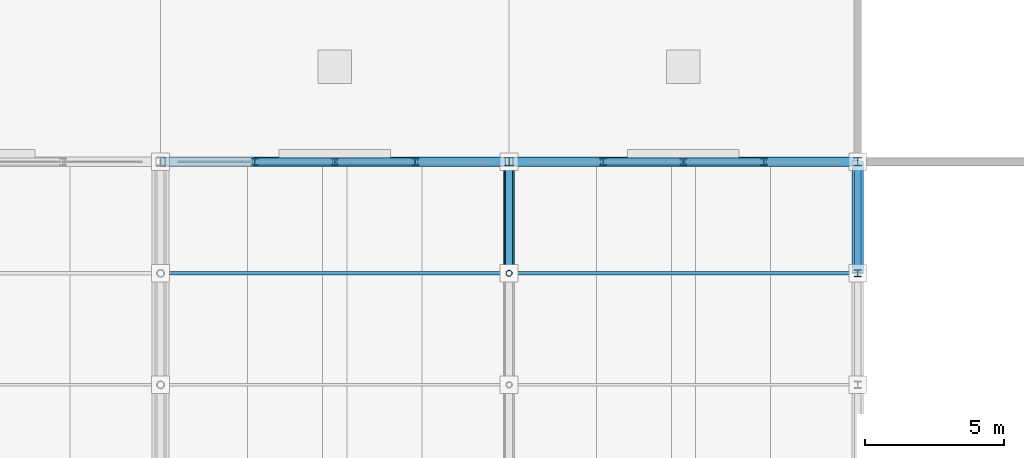
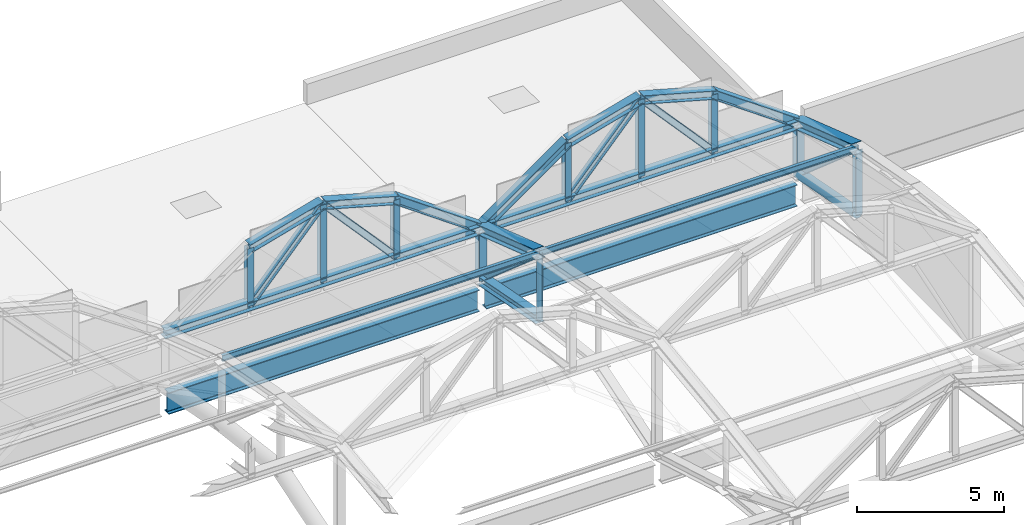
# One storey, part 85 of 117: 31 members, 2 beams.
"""IFC4 building model written with IfcOpenShell, lengths in metres."""

from ifc_helpers import new_model, si_unit, direction, frame, origin, origin_2d, place, context, subcontext, project, spatial, hollow_circle, i_section, extrude, material, material_profile, profile_set, type_object, element, save


model = new_model("IFC4")

# Units and contexts
model_context = context("Model", 3, precision=1e-05, world=origin(), true_north=direction((0.0, 1.0)))
body_context = subcontext(model_context, "Body", "Model", "MODEL_VIEW")
ifc_project = project(units=[si_unit("LENGTHUNIT", "METRE"), si_unit("AREAUNIT", "SQUARE_METRE"), si_unit("VOLUMEUNIT", "CUBIC_METRE"), si_unit("PLANEANGLEUNIT", "RADIAN"), si_unit("MASSUNIT", "GRAM", prefix="KILO")], contexts=[model_context])

# Site, building, storey
site_placement = place(None, origin())
site = spatial("IfcSite", under=ifc_project, at=site_placement, CompositionType="ELEMENT")
building_placement = place(site_placement, origin())
building = spatial("IfcBuilding", under=site, at=building_placement, Name="Kazenohara Klinker Stadium", CompositionType="ELEMENT")
storey_placement = place(building_placement, frame((0.0, 0.0, 31.199951171875)))
storey = spatial("IfcBuildingStorey", under=building, at=storey_placement, Name="RF", CompositionType="ELEMENT", Elevation=31.199951171875)

# Members
ifc_material = material(Name="Steel S355", Category="steel")
ifc_material_profile_1 = material_profile(ifc_material, i_section(OverallWidth=0.25, OverallDepth=0.25, WebThickness=0.009033203125, FlangeThickness=0.013916015625, FilletRadius=0.012939453125, at=origin_2d()), Name="H-250x250x9x14")
ifc_profile_set_1 = profile_set([ifc_material_profile_1], Name="Steel S355")
member_type_1 = type_object("IfcMemberType", Name="MEM-BRC02", PredefinedType="BRACE", material=ifc_profile_set_1)
for number, where, z_axis, x_axis, name in (
    (1, (137.5, 144.0, -0.02001953125), (0.0, -0.755380190588, 0.655286782765), (1.0, 0.0, 0.0), "ROOF TRUSS RT-N07 web diagonal 1"),
    (2, (150.0, 144.0, -0.02001953125), (0.0, -0.755380190588, 0.655286782765), (1.0, 0.0, 0.0), "ROOF TRUSS RT-N08 web diagonal 1"),
):
    element("IfcMember", number, at=place(storey_placement, frame(where, z_axis=z_axis, x_axis=x_axis)), inside=storey, type_object=member_type_1, Name=name, PredefinedType="BRACE", context=body_context, shape_type="SweptSolid", body=[
        extrude(i_section(OverallWidth=0.25, OverallDepth=0.25, WebThickness=0.009033203125, FlangeThickness=0.013916015625, FilletRadius=0.012939453125, at=origin_2d()), origin(), (0.0, 0.0, 1.0), 5.29541015625),
    ])
ifc_material_profile_2 = material_profile(ifc_material, i_section(OverallWidth=0.39990234375, OverallDepth=0.39990234375, WebThickness=0.012939453125, FlangeThickness=0.02099609375, FilletRadius=0.02197265625, at=origin_2d()), Name="H-400x400x13x21")
ifc_profile_set_2 = profile_set([ifc_material_profile_2], Name="Steel S355")
member_type_2 = type_object("IfcMemberType", Name="MEM-CHD01", PredefinedType="CHORD", material=ifc_profile_set_2)
for number, where, z_axis, x_axis, name in (
    (3, (137.5, 144.0, 2.10009765625), (0.0, -0.947502791724, 0.319747493618), (1.0, 0.0, 0.0), "ROOF TRUSS RT-N07 top arched chord 1"),
    (4, (150.0, 144.0, 2.10009765625), (0.0, -0.947502791724, 0.319747493618), (1.0, 0.0, 0.0), "ROOF TRUSS RT-N08 top arched chord 1"),
):
    element("IfcMember", number, at=place(storey_placement, frame(where, z_axis=z_axis, x_axis=x_axis)), inside=storey, type_object=member_type_2, Name=name, PredefinedType="CHORD", context=body_context, shape_type="SweptSolid", body=[
        extrude(i_section(OverallWidth=0.39990234375, OverallDepth=0.39990234375, WebThickness=0.012939453125, FlangeThickness=0.02099609375, FilletRadius=0.02197265625, at=origin_2d()), origin(), (0.0, 0.0, 1.0), 4.2216796875),
    ])
ifc_material_profile_3 = material_profile(ifc_material, i_section(OverallWidth=0.35009765625, OverallDepth=0.35009765625, WebThickness=0.011962890625, FlangeThickness=0.01904296875, FilletRadius=0.012939453125, at=origin_2d()), Name="H-350x350x12x19")
ifc_profile_set_3 = profile_set([ifc_material_profile_3], Name="Steel S355")
member_type_3 = type_object("IfcMemberType", Name="MEM-CHD02", PredefinedType="CHORD", material=ifc_profile_set_3)
member_1_placement = place(storey_placement, frame((137.5, 144.0, -0.02001953125), z_axis=(0.0, -0.981970519692, 0.189034119819), x_axis=(1.0, 0.0, 0.0)))
element("IfcMember", 5, at=member_1_placement, inside=storey, type_object=member_type_3, Name="ROOF TRUSS RT-N07 bottom arched chord 1", PredefinedType="CHORD", context=body_context, shape_type="SweptSolid", body=[
    extrude(i_section(OverallWidth=0.35009765625, OverallDepth=0.35009765625, WebThickness=0.011962890625, FlangeThickness=0.01904296875, FilletRadius=0.012939453125, at=origin_2d()), origin(), (0.0, 0.0, 1.0), 4.073486328125),
])
member_2_placement = place(storey_placement, frame((125.0, 144.0, 2.10009765625), z_axis=(1.0, 0.0, 0.0), x_axis=(0.0, 1.0, 0.0)))
element("IfcMember", 6, at=member_2_placement, inside=storey, type_object=member_type_3, Name="Barrel arch tie chord TC02 N-06-N0", PredefinedType="CHORD", context=body_context, shape_type="SweptSolid", body=[
    extrude(i_section(OverallWidth=0.35009765625, OverallDepth=0.35009765625, WebThickness=0.011962890625, FlangeThickness=0.01904296875, FilletRadius=0.012939453125, at=origin_2d()), origin(), (0.0, 0.0, 1.0), 12.5),
])
for number, where, z_axis, x_axis, name in (
    (7, (128.375, 144.0, 4.5), (0.963393567269, 0.0, 0.268091093745), (0.0, 1.0, 0.0), "Barrel arch top rib TC02 N-06-N0-S2"),
    (8, (131.25, 144.0, 5.300048828125), (0.963393567269, 0.0, -0.268091093745), (0.0, 1.0, 0.0), "Barrel arch top rib TC02 N-06-N0-S3"),
):
    element("IfcMember", number, at=place(storey_placement, frame(where, z_axis=z_axis, x_axis=x_axis)), inside=storey, type_object=member_type_3, Name=name, PredefinedType="CHORD", context=body_context, shape_type="SweptSolid", body=[
        extrude(i_section(OverallWidth=0.35009765625, OverallDepth=0.35009765625, WebThickness=0.011962890625, FlangeThickness=0.01904296875, FilletRadius=0.012939453125, at=origin_2d()), origin(), (0.0, 0.0, 1.0), 2.984130859375),
    ])
member_3_placement = place(storey_placement, frame((134.125, 144.0, 4.5), z_axis=(0.814966461491, 0.0, -0.579508124744), x_axis=(0.0, 1.0, 0.0)))
element("IfcMember", 9, at=member_3_placement, inside=storey, type_object=member_type_3, Name="Barrel arch top rib TC02 N-06-N0-S4", PredefinedType="CHORD", context=body_context, shape_type="SweptSolid", body=[
    extrude(i_section(OverallWidth=0.35009765625, OverallDepth=0.35009765625, WebThickness=0.011962890625, FlangeThickness=0.01904296875, FilletRadius=0.012939453125, at=origin_2d()), origin(), (0.0, 0.0, 1.0), 4.141357421875),
])
member_4_placement = place(storey_placement, frame((137.5, 144.0, 2.10009765625), z_axis=(1.0, 0.0, 0.0), x_axis=(0.0, 1.0, 0.0)))
element("IfcMember", 10, at=member_4_placement, inside=storey, type_object=member_type_3, Name="Barrel arch tie chord TC02 N-07-N0", PredefinedType="CHORD", context=body_context, shape_type="SweptSolid", body=[
    extrude(i_section(OverallWidth=0.35009765625, OverallDepth=0.35009765625, WebThickness=0.011962890625, FlangeThickness=0.01904296875, FilletRadius=0.012939453125, at=origin_2d()), origin(), (0.0, 0.0, 1.0), 12.5),
])
member_5_placement = place(storey_placement, frame((137.5, 144.0, 2.10009765625), z_axis=(0.814966461491, 0.0, 0.579508124744), x_axis=(0.0, 1.0, 0.0)))
element("IfcMember", 11, at=member_5_placement, inside=storey, type_object=member_type_3, Name="Barrel arch top rib TC02 N-07-N0-S1", PredefinedType="CHORD", context=body_context, shape_type="SweptSolid", body=[
    extrude(i_section(OverallWidth=0.35009765625, OverallDepth=0.35009765625, WebThickness=0.011962890625, FlangeThickness=0.01904296875, FilletRadius=0.012939453125, at=origin_2d()), origin(), (0.0, 0.0, 1.0), 4.141357421875),
])
for number, where, z_axis, x_axis, name in (
    (12, (140.875, 144.0, 4.5), (0.963393567269, 0.0, 0.268091093745), (0.0, 1.0, 0.0), "Barrel arch top rib TC02 N-07-N0-S2"),
    (13, (143.75, 144.0, 5.300048828125), (0.963393567269, 0.0, -0.268091093745), (0.0, 1.0, 0.0), "Barrel arch top rib TC02 N-07-N0-S3"),
):
    element("IfcMember", number, at=place(storey_placement, frame(where, z_axis=z_axis, x_axis=x_axis)), inside=storey, type_object=member_type_3, Name=name, PredefinedType="CHORD", context=body_context, shape_type="SweptSolid", body=[
        extrude(i_section(OverallWidth=0.35009765625, OverallDepth=0.35009765625, WebThickness=0.011962890625, FlangeThickness=0.01904296875, FilletRadius=0.012939453125, at=origin_2d()), origin(), (0.0, 0.0, 1.0), 2.984130859375),
    ])
member_6_placement = place(storey_placement, frame((146.625, 144.0, 4.5), z_axis=(0.814966461491, 0.0, -0.579508124744), x_axis=(0.0, 1.0, 0.0)))
element("IfcMember", 14, at=member_6_placement, inside=storey, type_object=member_type_3, Name="Barrel arch top rib TC02 N-07-N0-S4", PredefinedType="CHORD", context=body_context, shape_type="SweptSolid", body=[
    extrude(i_section(OverallWidth=0.35009765625, OverallDepth=0.35009765625, WebThickness=0.011962890625, FlangeThickness=0.01904296875, FilletRadius=0.012939453125, at=origin_2d()), origin(), (0.0, 0.0, 1.0), 4.141357421875),
])
ifc_material_profile_4 = material_profile(ifc_material, hollow_circle(Radius=0.203125, WallThickness=0.011962890625, at=origin_2d()), Name="CHS-406.4x12")
ifc_profile_set_4 = profile_set([ifc_material_profile_4], Name="Steel S355")
member_type_4 = type_object("IfcMemberType", Name="MEM-CHD03", PredefinedType="CHORD", material=ifc_profile_set_4)
member_7_placement = place(storey_placement, frame((150.0, 144.0, -0.02001953125), z_axis=(0.0, -0.981970519692, 0.189034119819), x_axis=(1.0, 0.0, 0.0)))
element("IfcMember", 15, at=member_7_placement, inside=storey, type_object=member_type_4, Name="ROOF TRUSS RT-N08 bottom arched chord 1", PredefinedType="CHORD", context=body_context, shape_type="SweptSolid", body=[
    extrude(hollow_circle(Radius=0.203125, WallThickness=0.011962890625, at=origin_2d()), origin(), (0.0, 0.0, 1.0), 4.073486328125),
])
ifc_material_profile_5 = material_profile(ifc_material, i_section(OverallWidth=0.125, OverallDepth=0.25, WebThickness=0.006103515625, FlangeThickness=0.009033203125, FilletRadius=0.008056640625, at=origin_2d()), Name="H-250x125x6x9")
ifc_profile_set_5 = profile_set([ifc_material_profile_5], Name="Steel S355")
member_type_5 = type_object("IfcMemberType", Name="MEM-PUR01", PredefinedType="PURLIN", material=ifc_profile_set_5)
for number, where, z_axis, x_axis, name in (
    (16, (125.0, 140.0, 3.469970703125), (1.0, 0.0, 0.0), (0.0, 1.0, 0.0), "Canopy valley tie purlin PR01 N-06-N1"),
    (17, (137.5, 140.0, 3.469970703125), (1.0, 0.0, 0.0), (0.0, 1.0, 0.0), "Canopy valley tie purlin PR01 N-07-N1"),
):
    element("IfcMember", number, at=place(storey_placement, frame(where, z_axis=z_axis, x_axis=x_axis)), inside=storey, type_object=member_type_5, Name=name, PredefinedType="PURLIN", context=body_context, shape_type="SweptSolid", body=[
        extrude(i_section(OverallWidth=0.125, OverallDepth=0.25, WebThickness=0.006103515625, FlangeThickness=0.009033203125, FilletRadius=0.008056640625, at=origin_2d()), origin(), (0.0, 0.0, 1.0), 12.5),
    ])
ifc_material_profile_6 = material_profile(ifc_material, i_section(OverallWidth=0.300048828125, OverallDepth=0.300048828125, WebThickness=0.010009765625, FlangeThickness=0.014892578125, FilletRadius=0.012939453125, at=origin_2d()), Name="H-300x300x10x15")
ifc_profile_set_6 = profile_set([ifc_material_profile_6], Name="Steel S355")
member_type_6 = type_object("IfcMemberType", Name="MEM-STR01", PredefinedType="STRUT", material=ifc_profile_set_6)
for number, where, z_axis, x_axis, name in (
    (18, (137.5, 144.0, -0.02001953125), (0.0, 0.0, 1.0), (1.0, 0.0, 0.0), "ROOF TRUSS RT-N07 web post 1"),
    (19, (150.0, 144.0, -0.02001953125), (0.0, 0.0, 1.0), (1.0, 0.0, 0.0), "ROOF TRUSS RT-N08 web post 1"),
):
    element("IfcMember", number, at=place(storey_placement, frame(where, z_axis=z_axis, x_axis=x_axis)), inside=storey, type_object=member_type_6, Name=name, PredefinedType="STRUT", context=body_context, shape_type="SweptSolid", body=[
        extrude(i_section(OverallWidth=0.300048828125, OverallDepth=0.300048828125, WebThickness=0.010009765625, FlangeThickness=0.014892578125, FilletRadius=0.012939453125, at=origin_2d()), origin(), (0.0, 0.0, 1.0), 2.1201171875),
    ])
ifc_material_profile_7 = material_profile(ifc_material, i_section(OverallWidth=0.25, OverallDepth=0.25, WebThickness=0.009033203125, FlangeThickness=0.013916015625, FilletRadius=0.012939453125, at=origin_2d()), Name="H-250x250x9x14")
ifc_profile_set_7 = profile_set([ifc_material_profile_7], Name="Steel S355")
member_type_7 = type_object("IfcMemberType", Name="MEM-STR02", PredefinedType="STRUT", material=ifc_profile_set_7)
member_8_placement = place(storey_placement, frame((150.0, 140.0, 0.75), z_axis=(0.0, 0.0, 1.0), x_axis=(1.0, 0.0, 0.0)))
element("IfcMember", 20, at=member_8_placement, inside=storey, type_object=member_type_7, Name="ROOF TRUSS RT-N08 web post 2", PredefinedType="STRUT", context=body_context, shape_type="SweptSolid", body=[
    extrude(i_section(OverallWidth=0.25, OverallDepth=0.25, WebThickness=0.009033203125, FlangeThickness=0.013916015625, FilletRadius=0.012939453125, at=origin_2d()), origin(), (0.0, 0.0, 1.0), 2.699951171875),
])
member_9_placement = place(storey_placement, frame((128.375, 144.0, 2.10009765625), z_axis=(0.0, 0.0, 1.0), x_axis=(1.0, 0.0, 0.0)))
element("IfcMember", 21, at=member_9_placement, inside=storey, type_object=member_type_7, Name="Barrel arch web post TS02 N-06-N0-P1", PredefinedType="STRUT", context=body_context, shape_type="SweptSolid", body=[
    extrude(i_section(OverallWidth=0.25, OverallDepth=0.25, WebThickness=0.009033203125, FlangeThickness=0.013916015625, FilletRadius=0.012939453125, at=origin_2d()), origin(), (0.0, 0.0, 1.0), 2.39990234375),
])
member_10_placement = place(storey_placement, frame((131.25, 144.0, 2.10009765625), z_axis=(0.0, 0.0, 1.0), x_axis=(1.0, 0.0, 0.0)))
element("IfcMember", 22, at=member_10_placement, inside=storey, type_object=member_type_7, Name="Barrel arch web post TS02 N-06-N0-P2", PredefinedType="STRUT", context=body_context, shape_type="SweptSolid", body=[
    extrude(i_section(OverallWidth=0.25, OverallDepth=0.25, WebThickness=0.009033203125, FlangeThickness=0.013916015625, FilletRadius=0.012939453125, at=origin_2d()), origin(), (0.0, 0.0, 1.0), 3.199951171875),
])
member_11_placement = place(storey_placement, frame((134.125, 144.0, 2.10009765625), z_axis=(0.0, 0.0, 1.0), x_axis=(1.0, 0.0, 0.0)))
element("IfcMember", 23, at=member_11_placement, inside=storey, type_object=member_type_7, Name="Barrel arch web post TS02 N-06-N0-P3", PredefinedType="STRUT", context=body_context, shape_type="SweptSolid", body=[
    extrude(i_section(OverallWidth=0.25, OverallDepth=0.25, WebThickness=0.009033203125, FlangeThickness=0.013916015625, FilletRadius=0.012939453125, at=origin_2d()), origin(), (0.0, 0.0, 1.0), 2.39990234375),
])
for number, where, z_axis, x_axis, name in (
    (24, (128.375, 144.0, 2.10009765625), (0.668327970369, 0.0, 0.74386673808), (0.0, 1.0, 0.0), "Barrel arch web diagonal TS02 N-06-N0-D1"),
    (25, (134.125, 144.0, 2.10009765625), (-0.668327970369, 0.0, 0.74386673808), (0.0, -1.0, 0.0), "Barrel arch web diagonal TS02 N-06-N0-D2"),
):
    element("IfcMember", number, at=place(storey_placement, frame(where, z_axis=z_axis, x_axis=x_axis)), inside=storey, type_object=member_type_7, Name=name, PredefinedType="STRUT", context=body_context, shape_type="SweptSolid", body=[
        extrude(i_section(OverallWidth=0.25, OverallDepth=0.25, WebThickness=0.009033203125, FlangeThickness=0.013916015625, FilletRadius=0.012939453125, at=origin_2d()), origin(), (0.0, 0.0, 1.0), 4.3017578125),
    ])
member_12_placement = place(storey_placement, frame((140.875, 144.0, 2.10009765625), z_axis=(0.0, 0.0, 1.0), x_axis=(1.0, 0.0, 0.0)))
element("IfcMember", 26, at=member_12_placement, inside=storey, type_object=member_type_7, Name="Barrel arch web post TS02 N-07-N0-P1", PredefinedType="STRUT", context=body_context, shape_type="SweptSolid", body=[
    extrude(i_section(OverallWidth=0.25, OverallDepth=0.25, WebThickness=0.009033203125, FlangeThickness=0.013916015625, FilletRadius=0.012939453125, at=origin_2d()), origin(), (0.0, 0.0, 1.0), 2.39990234375),
])
member_13_placement = place(storey_placement, frame((143.75, 144.0, 2.10009765625), z_axis=(0.0, 0.0, 1.0), x_axis=(1.0, 0.0, 0.0)))
element("IfcMember", 27, at=member_13_placement, inside=storey, type_object=member_type_7, Name="Barrel arch web post TS02 N-07-N0-P2", PredefinedType="STRUT", context=body_context, shape_type="SweptSolid", body=[
    extrude(i_section(OverallWidth=0.25, OverallDepth=0.25, WebThickness=0.009033203125, FlangeThickness=0.013916015625, FilletRadius=0.012939453125, at=origin_2d()), origin(), (0.0, 0.0, 1.0), 3.199951171875),
])
member_14_placement = place(storey_placement, frame((146.625, 144.0, 2.10009765625), z_axis=(0.0, 0.0, 1.0), x_axis=(1.0, 0.0, 0.0)))
element("IfcMember", 28, at=member_14_placement, inside=storey, type_object=member_type_7, Name="Barrel arch web post TS02 N-07-N0-P3", PredefinedType="STRUT", context=body_context, shape_type="SweptSolid", body=[
    extrude(i_section(OverallWidth=0.25, OverallDepth=0.25, WebThickness=0.009033203125, FlangeThickness=0.013916015625, FilletRadius=0.012939453125, at=origin_2d()), origin(), (0.0, 0.0, 1.0), 2.39990234375),
])
for number, where, z_axis, x_axis, name in (
    (29, (140.875, 144.0, 2.10009765625), (0.668327970369, 0.0, 0.74386673808), (0.0, 1.0, 0.0), "Barrel arch web diagonal TS02 N-07-N0-D1"),
    (30, (146.625, 144.0, 2.10009765625), (-0.668327970369, 0.0, 0.74386673808), (0.0, -1.0, 0.0), "Barrel arch web diagonal TS02 N-07-N0-D2"),
):
    element("IfcMember", number, at=place(storey_placement, frame(where, z_axis=z_axis, x_axis=x_axis)), inside=storey, type_object=member_type_7, Name=name, PredefinedType="STRUT", context=body_context, shape_type="SweptSolid", body=[
        extrude(i_section(OverallWidth=0.25, OverallDepth=0.25, WebThickness=0.009033203125, FlangeThickness=0.013916015625, FilletRadius=0.012939453125, at=origin_2d()), origin(), (0.0, 0.0, 1.0), 4.3017578125),
    ])
ifc_material_profile_8 = material_profile(ifc_material, hollow_circle(Radius=0.108154296875, WallThickness=0.008056640625, at=origin_2d()), Name="CHS-216.3x8")
ifc_profile_set_8 = profile_set([ifc_material_profile_8], Name="Steel S355")
member_type_8 = type_object("IfcMemberType", Name="MEM-STR04", PredefinedType="STRUT", material=ifc_profile_set_8)
member_15_placement = place(storey_placement, frame((137.5, 140.0, 0.75), z_axis=(0.0, 0.0, 1.0), x_axis=(1.0, 0.0, 0.0)))
element("IfcMember", 31, at=member_15_placement, inside=storey, type_object=member_type_8, Name="ROOF TRUSS RT-N07 web post 2", PredefinedType="STRUT", context=body_context, shape_type="SweptSolid", body=[
    extrude(hollow_circle(Radius=0.108154296875, WallThickness=0.008056640625, at=origin_2d()), origin(), (0.0, 0.0, 1.0), 2.699951171875),
])

# Beams
ifc_material_profile_9 = material_profile(ifc_material, i_section(OverallWidth=0.300048828125, OverallDepth=0.89990234375, WebThickness=0.01611328125, FlangeThickness=0.028076171875, FilletRadius=0.02197265625, at=origin_2d()), Name="H-900x300x16x28")
ifc_profile_set_9 = profile_set([ifc_material_profile_9], Name="Steel S355")
beam_type = type_object("IfcBeamType", Name="RING-RB01", PredefinedType="USERDEFINED", material=ifc_profile_set_9)
for number, where, z_axis, x_axis, name in (
    (32, (125.139892578125, 144.0, -0.820068359375), (1.0, 0.0, 0.0), (0.0, 1.0, 0.0), "Roof ring beam RB01 N-OUT 11-12"),
    (33, (137.639892578125, 144.0, -0.820068359375), (1.0, 0.0, 0.0), (0.0, 1.0, 0.0), "Roof ring beam RB01 N-OUT 12-13"),
):
    element("IfcBeam", number, at=place(storey_placement, frame(where, z_axis=z_axis, x_axis=x_axis)), inside=storey, type_object=beam_type, Name=name, ObjectType="RING BEAM", PredefinedType="USERDEFINED", context=body_context, shape_type="SweptSolid", body=[
        extrude(i_section(OverallWidth=0.300048828125, OverallDepth=0.89990234375, WebThickness=0.01611328125, FlangeThickness=0.028076171875, FilletRadius=0.02197265625, at=origin_2d()), origin(), (0.0, 0.0, 1.0), 12.22021484375),
    ])

save(model, "model.ifc")
